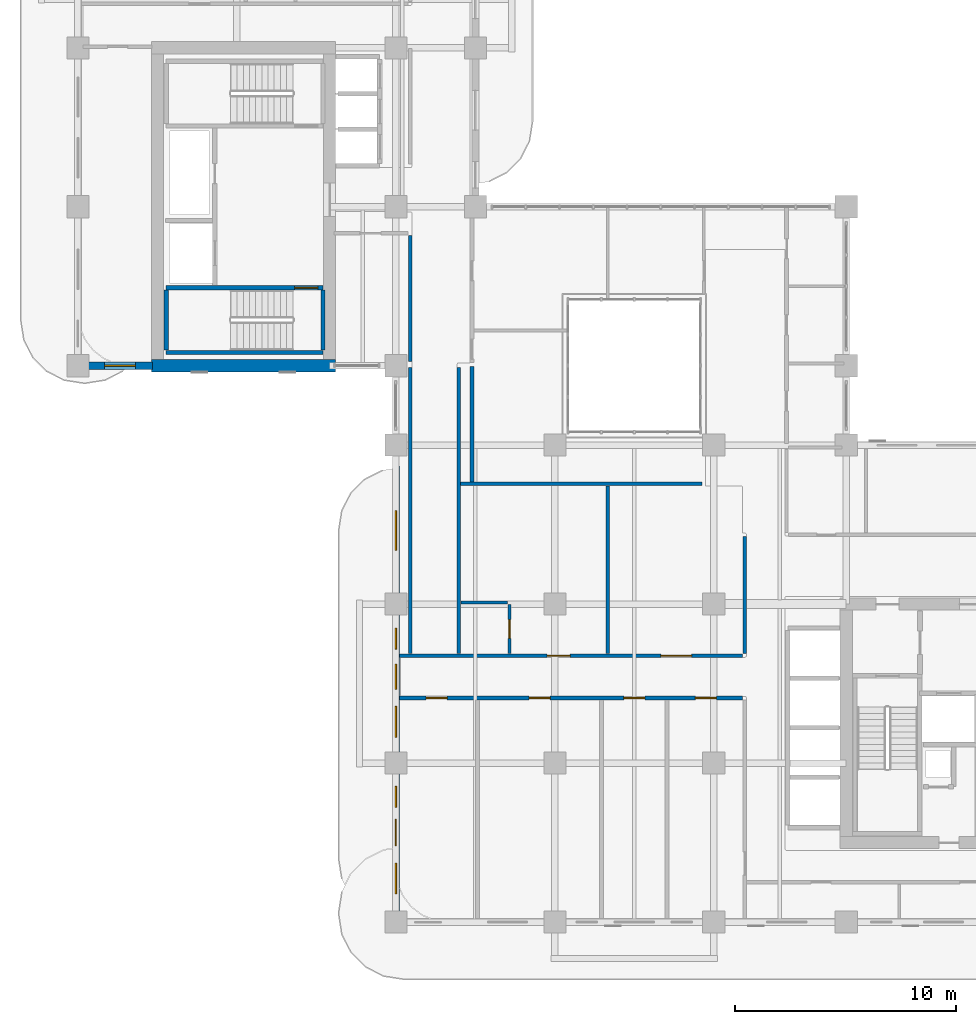
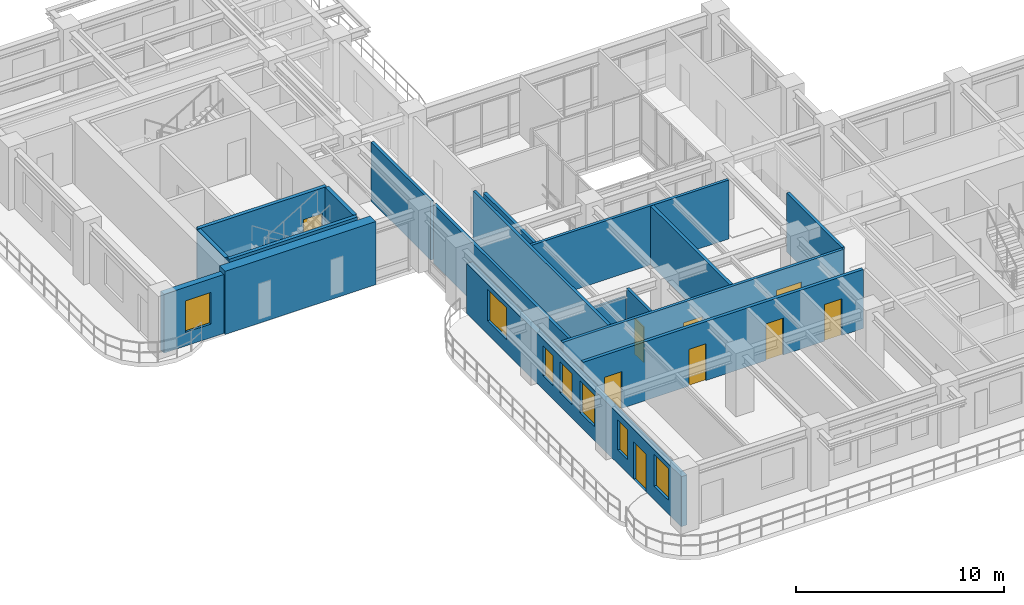
# One storey, part 11 of 20: 18 walls, 9 doors, 7 windows, 16 openings.
"""IFC4 building model written with IfcOpenShell, lengths in metres."""

import ifcopenshell
import ifcopenshell.guid

model = None  # the IFC model being written
_history = None  # IfcOwnerHistory: only IFC2X3 demands one
_inside = {}  # id of a spatial element -> (the spatial element, [elements in it])
_under = {}  # id of a project, library or spatial element -> (it, [spatial elements below it])
_declared = {}  # id of a project -> (the project, [libraries it declares])
_typed = {}  # id of a type object -> (the type object, [elements of that type])
_made_of = {}  # id of a material, layer set ... -> (it, [elements and type objects made of it])


def new_model(schema):
    """Start an empty IFC model of exactly this schema.

    Asked for "IFC4X3", IfcOpenShell would pick the latest addendum, in which some entities
    have other attributes; the version numbers below select the first issue.
    IFC2X3 requires an IfcOwnerHistory on every rooted entity: one is made here for all.
    """
    global model, _history
    if schema == "IFC4X3":
        model = ifcopenshell.file(schema_version=(4, 3, 0, 0))
    else:
        model = ifcopenshell.file(schema=schema)
    _inside.clear()
    _under.clear()
    _declared.clear()
    _typed.clear()
    _made_of.clear()
    _history = None
    if model.schema == "IFC2X3":
        org = make("IfcOrganization", Name="unknown")
        user = make(
            "IfcPersonAndOrganization",
            ThePerson=make("IfcPerson", FamilyName="unknown"),
            TheOrganization=org,
        )
        app = make(
            "IfcApplication",
            ApplicationDeveloper=org,
            Version="unknown",
            ApplicationFullName="unknown",
            ApplicationIdentifier="unknown",
        )
        _history = make(
            "IfcOwnerHistory",
            OwningUser=user,
            OwningApplication=app,
            ChangeAction="ADDED",
            CreationDate=0,
        )
    return model


def make(cls, **values):
    """One entity of the class cls with the attributes given. An attribute that is None is left unset."""
    return model.create_entity(
        cls, **{name: value for name, value in values.items() if value is not None}
    )


def rooted(cls, **values):
    """An entity with a GlobalId (a new one), such as an element, a storey or a relation."""
    return make(cls, GlobalId=ifcopenshell.guid.new(), OwnerHistory=_history, **values)


def si_unit(unit_type, name, prefix=None):
    """IfcSIUnit, for example si_unit("LENGTHUNIT", "METRE", prefix="MILLI")."""
    return make("IfcSIUnit", UnitType=unit_type, Prefix=prefix, Name=name)


def derived_unit(unit_type, elements):
    """IfcDerivedUnit: a product of units, each with its exponent."""
    return make(
        "IfcDerivedUnit",
        Elements=[
            make("IfcDerivedUnitElement", Unit=unit, Exponent=power)
            for unit, power in elements
        ],
        UnitType=unit_type,
    )


def assignment(units):
    """IfcUnitAssignment: the units of a project."""
    return None if units is None else make("IfcUnitAssignment", Units=units)


def point(xyz):
    """IfcCartesianPoint."""
    return None if xyz is None else make("IfcCartesianPoint", Coordinates=xyz)


def direction(xyz):
    """IfcDirection."""
    return None if xyz is None else make("IfcDirection", DirectionRatios=xyz)


def frame(location, z_axis=None, x_axis=None):
    """IfcAxis2Placement3D, a coordinate frame: its origin and axes. An axis left out is left unset."""
    return make(
        "IfcAxis2Placement3D",
        Location=point(location),
        Axis=direction(z_axis),
        RefDirection=direction(x_axis),
    )


def frame_2d(location, x_axis=None):
    """IfcAxis2Placement2D, a coordinate frame in the plane: its origin and x axis."""
    return make(
        "IfcAxis2Placement2D", Location=point(location), RefDirection=direction(x_axis)
    )


def origin():
    """The frame at (0, 0, 0) with its axes left unset."""
    return frame((0.0, 0.0, 0.0))


def place(relative_to, where):
    """IfcLocalPlacement: puts the frame where relative to a parent placement (None: the world)."""
    return make(
        "IfcLocalPlacement", PlacementRelTo=relative_to, RelativePlacement=where
    )


def context(
    kind, dimensions, precision=None, world=None, true_north=None, identifier=None
):
    """IfcGeometricRepresentationContext, for example the 3D "Model" context."""
    return make(
        "IfcGeometricRepresentationContext",
        ContextIdentifier=identifier,
        ContextType=kind,
        CoordinateSpaceDimension=dimensions,
        Precision=precision,
        WorldCoordinateSystem=world,
        TrueNorth=true_north,
    )


def subcontext(parent, identifier, kind, view, scale=None):
    """IfcGeometricRepresentationSubContext, for example "Body" below "Model"."""
    return make(
        "IfcGeometricRepresentationSubContext",
        ContextIdentifier=identifier,
        ContextType=kind,
        ParentContext=parent,
        TargetScale=scale,
        TargetView=view,
    )


def project(units=None, contexts=None):
    """IfcProject with its units and contexts."""
    return rooted(
        "IfcProject",
        Name="project",
        RepresentationContexts=contexts,
        UnitsInContext=assignment(units),
    )


def spatial(cls, under=None, at=None, **own):
    """A site, building, storey or space (cls), placed at a placement, below another one or the project."""
    s = rooted(cls, ObjectPlacement=at, **own)
    if under is not None:
        _under.setdefault(under.id(), (under, []))[1].append(s)
    return s


def profile(cls, at=None, kind="AREA", **sizes):
    """A parametric profile (cls). Its sizes go by their IFC names, for example OverallWidth=200.0."""
    return make(cls, ProfileType=kind, Position=at, **sizes)


def rectangle(**sizes):
    """IfcRectangleProfileDef."""
    return profile("IfcRectangleProfileDef", **sizes)


def extrude(swept, where, along, depth):
    """IfcExtrudedAreaSolid: the profile swept, set in the frame where, extruded along a direction by depth."""
    return make(
        "IfcExtrudedAreaSolid",
        SweptArea=swept,
        Position=where,
        ExtrudedDirection=direction(along),
        Depth=depth,
    )


def shape(context_of_items, identifier, shape_type, items):
    """IfcShapeRepresentation: the items that make up one representation, for example the "Body"."""
    return make(
        "IfcShapeRepresentation",
        ContextOfItems=context_of_items,
        RepresentationIdentifier=identifier,
        RepresentationType=shape_type,
        Items=items,
    )


def source(mapping_origin, context_of_items, identifier, shape_type, items):
    """IfcRepresentationMap: a shape defined once, which mapped items show again and again."""
    return make(
        "IfcRepresentationMap",
        MappingOrigin=mapping_origin,
        MappedRepresentation=shape(context_of_items, identifier, shape_type, items),
    )


def transform(
    local_origin,
    x_axis=None,
    y_axis=None,
    z_axis=None,
    scale=None,
    scale2=None,
    scale3=None,
    uniform=True,
):
    """IfcCartesianTransformationOperator3D, or its non-uniform kind. x_axis, y_axis, z_axis: its Axis1, 2, 3."""
    if uniform:
        return make(
            "IfcCartesianTransformationOperator3D",
            Axis1=direction(x_axis),
            Axis2=direction(y_axis),
            LocalOrigin=point(local_origin),
            Scale=scale,
            Axis3=direction(z_axis),
        )
    return make(
        "IfcCartesianTransformationOperator3DnonUniform",
        Axis1=direction(x_axis),
        Axis2=direction(y_axis),
        LocalOrigin=point(local_origin),
        Scale=scale,
        Axis3=direction(z_axis),
        Scale2=scale2,
        Scale3=scale3,
    )


def mapped(mapping_source, mapping_target):
    """IfcMappedItem: shows the shape of a source again, moved by a transform."""
    return make(
        "IfcMappedItem", MappingSource=mapping_source, MappingTarget=mapping_target
    )


def material(Name=None, Category=None):
    """IfcMaterial."""
    return make("IfcMaterial", Name=Name, Category=Category)


def layer(
    of_material, thickness, ventilated=None, Name=None, Category=None, Priority=None
):
    """IfcMaterialLayer: one layer of a wall or slab, of a material (None: an air gap)."""
    return make(
        "IfcMaterialLayer",
        Material=of_material,
        LayerThickness=thickness,
        IsVentilated=ventilated,
        Name=Name,
        Category=Category,
        Priority=Priority,
    )


def layer_set(layers, Name=None):
    """IfcMaterialLayerSet."""
    return make("IfcMaterialLayerSet", MaterialLayers=layers, LayerSetName=Name)


def made_of(thing, what):
    """Note that an element or type object is made of a material, layer set ...; save() writes the relation."""
    if what is not None:
        _made_of.setdefault(what.id(), (what, []))[1].append(thing)
    return thing


def type_object(cls, material=None, **own):
    """A type object (cls), such as IfcWallType, which elements share."""
    return made_of(rooted(cls, **own), material)


def type_shapes(of_type, sources):
    """Give a type object the sources (RepresentationMaps) that its elements show as mapped items."""
    of_type.RepresentationMaps = sources


def element(
    cls,
    number,
    at=None,
    inside=None,
    cuts=None,
    type_object=None,
    material=None,
    context=None,
    identifier="Body",
    shape_type=None,
    held_by="IfcProductDefinitionShape",
    body=None,
    shapes=None,
    **own,
):
    """One element of the class cls, such as IfcWall. Its Tag is "e" and its number.

    at: its placement. inside: the storey or other place that contains it. cuts: it is an
    opening in that element (IfcRelVoidsElement). A single representation is given by context,
    identifier, shape_type and body (its items); several are given by shapes. held_by: the class
    of the entity that holds the representations. save() writes the other relations.
    """
    e = rooted(cls, Tag="e%d" % number, ObjectPlacement=at, **own)
    if body is not None:
        shapes = [shape(context, identifier, shape_type, body)]
    if shapes is not None:
        e.Representation = make(held_by, Representations=shapes)
    if inside is not None:
        _inside.setdefault(inside.id(), (inside, []))[1].append(e)
    if cuts is not None:
        rooted(
            "IfcRelVoidsElement", RelatingBuildingElement=cuts, RelatedOpeningElement=e
        )
    if type_object is not None:
        _typed.setdefault(type_object.id(), (type_object, []))[1].append(e)
    return made_of(e, material)


def fill(opening, filler):
    """IfcRelFillsElement: the door or window that sits in an opening."""
    return rooted(
        "IfcRelFillsElement",
        RelatingOpeningElement=opening,
        RelatedBuildingElement=filler,
    )


def aggregate(whole, parts):
    """IfcRelAggregates: a whole, such as a stair, and the parts it consists of."""
    return rooted("IfcRelAggregates", RelatingObject=whole, RelatedObjects=parts)


def save(model, path):
    """Write the relations noted so far, then the file.

    IfcRelAggregates (storeys below a building ...), IfcRelContainedInSpatialStructure (elements
    in a storey), IfcRelDefinesByType, IfcRelAssociatesMaterial and IfcRelDeclares: one each for
    every whole, place, type object, material and project.
    """
    for whole, parts in _under.values():
        aggregate(whole, parts)
    for where, things in _inside.values():
        rooted(
            "IfcRelContainedInSpatialStructure",
            RelatedElements=things,
            RelatingStructure=where,
        )
    for kind, things in _typed.values():
        rooted("IfcRelDefinesByType", RelatedObjects=things, RelatingType=kind)
    for what, things in _made_of.values():
        rooted("IfcRelAssociatesMaterial", RelatedObjects=things, RelatingMaterial=what)
    for by, libraries in _declared.values():
        rooted("IfcRelDeclares", RelatingContext=by, RelatedDefinitions=libraries)
    model.write(path)


model = new_model("IFC4")

# Units and contexts
model_context = context("Model", 3, precision=1e-05, world=origin(), true_north=direction((0.0, 1.0)))
body_context = subcontext(model_context, "Body", "Model", "MODEL_VIEW")
ifc_project = project(units=[si_unit("LENGTHUNIT", "METRE"), si_unit("AREAUNIT", "SQUARE_METRE"), si_unit("VOLUMEUNIT", "CUBIC_METRE"), si_unit("PLANEANGLEUNIT", "RADIAN"), si_unit("MASSUNIT", "GRAM", prefix="KILO"), si_unit("THERMODYNAMICTEMPERATUREUNIT", "KELVIN"), si_unit("POWERUNIT", "WATT"), derived_unit("THERMALTRANSMITTANCEUNIT", [(si_unit("POWERUNIT", "WATT"), 1), (si_unit("AREAUNIT", "SQUARE_METRE"), -1), (si_unit("THERMODYNAMICTEMPERATUREUNIT", "KELVIN"), -1)])], contexts=[model_context])

# Site, building, storey
site_placement = place(None, origin())
site = spatial("IfcSite", under=ifc_project, at=site_placement, CompositionType="ELEMENT")
building_placement = place(site_placement, origin())
building = spatial("IfcBuilding", under=site, at=building_placement, Name="Zahravan Archway Hotel and Residences", CompositionType="ELEMENT")
storey_placement = place(building_placement, frame((0.0, 0.0, 137.699951171875)))
storey = spatial("IfcBuildingStorey", under=building, at=storey_placement, Name="L34", CompositionType="ELEMENT", Elevation=137.699951171875)

# Wall
ifc_material_1 = material(Name="Concrete C70/85", Category="concrete")
ifc_layer_1 = layer(ifc_material_1, 0.550048828125, Name="Concrete C70/85", Category="concrete")
ifc_layer_set_1 = layer_set([ifc_layer_1], Name="Concrete C70/85")
wall_type_1 = type_object("IfcWallType", Name="CW-CORE-550", PredefinedType="SHEAR", material=ifc_layer_set_1)
wall_1_placement = place(storey_placement, frame((3.324951171875, 25.199951171875, 0.0), z_axis=(0.0, 0.0, 1.0), x_axis=(1.0, 0.0, 0.0)))
element("IfcWall", 1, at=wall_1_placement, inside=storey, type_object=wall_type_1, Name="L34 Core B Shear S Wall 550 mm", PredefinedType="SHEAR", context=body_context, shape_type="SweptSolid", body=[
    extrude(rectangle(XDim=8.35009765625, YDim=0.550048828125, at=frame_2d((4.175048828125, 0.0))), origin(), (0.0, 0.0, 1.0), 3.699951171875),
])

# Wall, openings, door, windows
ifc_material_2 = material(Name="Agra Buff Sandstone & Insulated Backup", Category="masonry")
ifc_layer_2 = layer(ifc_material_2, 0.320068359375, Name="Agra Buff Sandstone & Insulated Backup", Category="masonry")
ifc_layer_set_2 = layer_set([ifc_layer_2], Name="Agra Buff Sandstone & Insulated Backup")
wall_type_2 = type_object("IfcWallType", Name="EW-SAND-320", PredefinedType="SOLIDWALL", material=ifc_layer_set_2)
wall_2_placement = place(storey_placement, frame((14.39990234375, 0.050048828125, 0.0), z_axis=(0.0, 0.0, 1.0), x_axis=(0.0, 1.0, 0.0)))
wall_2 = element("IfcWall", 2, at=wall_2_placement, inside=storey, type_object=wall_type_2, Name="L34 Exterior Sandstone Wall WA-WL", PredefinedType="SOLIDWALL", context=body_context, shape_type="SweptSolid", body=[
    extrude(rectangle(XDim=20.599853515625, YDim=0.320068359375, at=frame_2d((10.2998046875, 0.0))), origin(), (0.0, 0.0, 1.0), 2.93505859375),
])
opening_1_placement = place(wall_2_placement, frame((3.39990234375, 0.0, 0.0)))
opening_1 = element("IfcOpeningElement", 3, at=opening_1_placement, cuts=wall_2, Name="Opening ED-BL1", PredefinedType="OPENING", context=body_context, shape_type="SweptSolid", body=[
    extrude(rectangle(XDim=1.199951171875, YDim=2.199951171875, at=frame_2d((0.60009765625, 1.10009765625))), frame((0.0, 0.169921875, 0.0), z_axis=(0.0, -1.0, 0.0), x_axis=(1.0, 0.0, 0.0)), (0.0, 0.0, 1.0), 0.340087890625),
])
opening_2_placement = place(wall_2_placement, frame((1.22509765625, 0.0, 0.800048828125)))
opening_2 = element("IfcOpeningElement", 4, at=opening_2_placement, cuts=wall_2, Name="Opening W-03", PredefinedType="OPENING", context=body_context, shape_type="SweptSolid", body=[
    extrude(rectangle(XDim=1.39990234375, YDim=1.85009765625, at=frame_2d((0.699951171875, 0.925048828125))), frame((0.0, 0.169921875, 0.0), z_axis=(0.0, -1.0, 0.0), x_axis=(1.0, 0.0, 0.0)), (0.0, 0.0, 1.0), 0.340087890625),
])
opening_3_placement = place(wall_2_placement, frame((5.14990234375, 0.0, 0.800048828125)))
opening_3 = element("IfcOpeningElement", 5, at=opening_3_placement, cuts=wall_2, Name="Opening W-04", PredefinedType="OPENING", context=body_context, shape_type="SweptSolid", body=[
    extrude(rectangle(XDim=0.949951171875, YDim=1.75, at=frame_2d((0.47509765625, 0.875))), frame((0.0, 0.169921875, 0.0), z_axis=(0.0, -1.0, 0.0), x_axis=(1.0, 0.0, 0.0)), (0.0, 0.0, 1.0), 0.340087890625),
])
opening_4_placement = place(wall_2_placement, frame((8.321044921875, 0.0, 0.800048828125)))
opening_4 = element("IfcOpeningElement", 6, at=opening_4_placement, cuts=wall_2, Name="Opening W-03", PredefinedType="OPENING", context=body_context, shape_type="SweptSolid", body=[
    extrude(rectangle(XDim=1.39990234375, YDim=1.85009765625, at=frame_2d((0.699951171875, 0.925048828125))), frame((0.0, 0.169921875, 0.0), z_axis=(0.0, -1.0, 0.0), x_axis=(1.0, 0.0, 0.0)), (0.0, 0.0, 1.0), 0.340087890625),
])
opening_5_placement = place(wall_2_placement, frame((10.485107421875, 0.0, 0.800048828125)))
opening_5 = element("IfcOpeningElement", 7, at=opening_5_placement, cuts=wall_2, Name="Opening W-05", PredefinedType="OPENING", context=body_context, shape_type="SweptSolid", body=[
    extrude(rectangle(XDim=1.14990234375, YDim=1.800048828125, at=frame_2d((0.574951171875, 0.89990234375))), frame((0.0, 0.169921875, 0.0), z_axis=(0.0, -1.0, 0.0), x_axis=(1.0, 0.0, 0.0)), (0.0, 0.0, 1.0), 0.340087890625),
])
opening_6_placement = place(wall_2_placement, frame((12.31396484375, 0.0, 0.800048828125)))
opening_6 = element("IfcOpeningElement", 8, at=opening_6_placement, cuts=wall_2, Name="Opening W-04", PredefinedType="OPENING", context=body_context, shape_type="SweptSolid", body=[
    extrude(rectangle(XDim=0.949951171875, YDim=1.75, at=frame_2d((0.47509765625, 0.875))), frame((0.0, 0.169921875, 0.0), z_axis=(0.0, -1.0, 0.0), x_axis=(1.0, 0.0, 0.0)), (0.0, 0.0, 1.0), 0.340087890625),
])
opening_7_placement = place(wall_2_placement, frame((16.7900390625, 0.0, 0.800048828125)))
opening_7 = element("IfcOpeningElement", 9, at=opening_7_placement, cuts=wall_2, Name="Opening W-02", PredefinedType="OPENING", context=body_context, shape_type="SweptSolid", body=[
    extrude(rectangle(XDim=1.800048828125, YDim=1.85009765625, at=frame_2d((0.89990234375, 0.925048828125))), frame((0.0, 0.169921875, 0.0), z_axis=(0.0, -1.0, 0.0), x_axis=(1.0, 0.0, 0.0)), (0.0, 0.0, 1.0), 0.340087890625),
])
ifc_material_3 = material(Name="Bronze-Anodized Glazed Aluminium", Category="aluminium")
door_type_1 = type_object("IfcDoorType", Name="ED-BALC-1200", OperationType="SLIDING_TO_LEFT", PredefinedType="DOOR", material=ifc_material_3)
shared_shape_1 = source(origin(), body_context, "Body", "SweptSolid", [
    extrude(rectangle(XDim=1.199951171875, YDim=2.199951171875, at=frame_2d((0.60009765625, 1.10009765625))), frame((0.0, 0.02490234375, 0.0), z_axis=(0.0, -1.0, 0.0), x_axis=(1.0, 0.0, 0.0)), (0.0, 0.0, 1.0), 0.050048828125),
])
type_shapes(door_type_1, [shared_shape_1])
door_1_placement = place(opening_1_placement, origin())
door_1 = element("IfcDoor", 10, at=door_1_placement, inside=storey, type_object=door_type_1, Name="L34 Outdoor Access Sliding Door (SLB-BAL-L34-WA)", OperationType="SLIDING_TO_LEFT", OverallHeight=2.199951171875, OverallWidth=1.199951171875, PredefinedType="DOOR", context=body_context, shape_type="MappedRepresentation", body=[
    mapped(shared_shape_1, transform((0.0, 0.0, 0.0), scale=1.0)),
])
fill(opening_1, door_1)
ifc_material_4 = material(Name="Bronze-Anodized Thermal-Break Aluminium & Low-E Glass", Category="aluminium")
window_type_1 = type_object("IfcWindowType", Name="WIN-TWR-1400", PartitioningType="SINGLE_PANEL", PredefinedType="WINDOW", material=ifc_material_4)
shared_shape_2 = source(origin(), body_context, "Body", "SweptSolid", [
    extrude(rectangle(XDim=1.39990234375, YDim=1.85009765625, at=frame_2d((0.699951171875, 0.925048828125))), frame((0.0, 0.030029296875, 0.0), z_axis=(0.0, -1.0, 0.0), x_axis=(1.0, 0.0, 0.0)), (0.0, 0.0, 1.0), 0.06005859375),
])
type_shapes(window_type_1, [shared_shape_2])
window_1_placement = place(opening_2_placement, origin())
window_1 = element("IfcWindow", 11, at=window_1_placement, inside=storey, type_object=window_type_1, Name="L34 Loggia Window 15", OverallHeight=1.85009765625, OverallWidth=1.39990234375, PartitioningType="SINGLE_PANEL", PredefinedType="WINDOW", context=body_context, shape_type="MappedRepresentation", body=[
    mapped(shared_shape_2, transform((0.0, 0.0, 0.0), scale=1.0)),
])
fill(opening_2, window_1)
window_2_placement = place(opening_4_placement, origin())
window_2 = element("IfcWindow", 12, at=window_2_placement, inside=storey, type_object=window_type_1, Name="L34 Loggia Window 17", OverallHeight=1.85009765625, OverallWidth=1.39990234375, PartitioningType="SINGLE_PANEL", PredefinedType="WINDOW", context=body_context, shape_type="MappedRepresentation", body=[
    mapped(shared_shape_2, transform((0.0, 0.0, 0.0), scale=1.0)),
])
fill(opening_4, window_2)
window_type_2 = type_object("IfcWindowType", Name="WIN-NAR-950", PartitioningType="SINGLE_PANEL", PredefinedType="WINDOW", material=ifc_material_4)
shared_shape_3 = source(origin(), body_context, "Body", "SweptSolid", [
    extrude(rectangle(XDim=0.949951171875, YDim=1.75, at=frame_2d((0.47509765625, 0.875))), frame((0.0, 0.030029296875, 0.0), z_axis=(0.0, -1.0, 0.0), x_axis=(1.0, 0.0, 0.0)), (0.0, 0.0, 1.0), 0.06005859375),
])
type_shapes(window_type_2, [shared_shape_3])
window_3_placement = place(opening_3_placement, origin())
window_3 = element("IfcWindow", 13, at=window_3_placement, inside=storey, type_object=window_type_2, Name="L34 Loggia Window 16", OverallHeight=1.75, OverallWidth=0.949951171875, PartitioningType="SINGLE_PANEL", PredefinedType="WINDOW", context=body_context, shape_type="MappedRepresentation", body=[
    mapped(shared_shape_3, transform((0.0, 0.0, 0.0), scale=1.0)),
])
fill(opening_3, window_3)
window_4_placement = place(opening_6_placement, origin())
window_4 = element("IfcWindow", 14, at=window_4_placement, inside=storey, type_object=window_type_2, Name="L34 Loggia Window 19", OverallHeight=1.75, OverallWidth=0.949951171875, PartitioningType="SINGLE_PANEL", PredefinedType="WINDOW", context=body_context, shape_type="MappedRepresentation", body=[
    mapped(shared_shape_3, transform((0.0, 0.0, 0.0), scale=1.0)),
])
fill(opening_6, window_4)
window_type_3 = type_object("IfcWindowType", Name="WIN-TWR-1800", PartitioningType="DOUBLE_PANEL_VERTICAL", PredefinedType="WINDOW", material=ifc_material_4)
shared_shape_4 = source(origin(), body_context, "Body", "SweptSolid", [
    extrude(rectangle(XDim=1.800048828125, YDim=1.85009765625, at=frame_2d((0.89990234375, 0.925048828125))), frame((0.0, 0.030029296875, 0.0), z_axis=(0.0, -1.0, 0.0), x_axis=(1.0, 0.0, 0.0)), (0.0, 0.0, 1.0), 0.06005859375),
])
type_shapes(window_type_3, [shared_shape_4])
window_5_placement = place(opening_7_placement, origin())
window_5 = element("IfcWindow", 15, at=window_5_placement, inside=storey, type_object=window_type_3, Name="L34 Loggia Window 20", OverallHeight=1.85009765625, OverallWidth=1.800048828125, PartitioningType="DOUBLE_PANEL_VERTICAL", PredefinedType="WINDOW", context=body_context, shape_type="MappedRepresentation", body=[
    mapped(shared_shape_4, transform((0.0, 0.0, 0.0), scale=1.0)),
])
fill(opening_7, window_5)
window_type_4 = type_object("IfcWindowType", Name="WIN-TWR-1150", PartitioningType="SINGLE_PANEL", PredefinedType="WINDOW", material=ifc_material_4)
shared_shape_5 = source(origin(), body_context, "Body", "SweptSolid", [
    extrude(rectangle(XDim=1.14990234375, YDim=1.800048828125, at=frame_2d((0.574951171875, 0.89990234375))), frame((0.0, 0.030029296875, 0.0), z_axis=(0.0, -1.0, 0.0), x_axis=(1.0, 0.0, 0.0)), (0.0, 0.0, 1.0), 0.06005859375),
])
type_shapes(window_type_4, [shared_shape_5])
window_6_placement = place(opening_5_placement, origin())
window_6 = element("IfcWindow", 16, at=window_6_placement, inside=storey, type_object=window_type_4, Name="L34 Loggia Window 18", OverallHeight=1.800048828125, OverallWidth=1.14990234375, PartitioningType="SINGLE_PANEL", PredefinedType="WINDOW", context=body_context, shape_type="MappedRepresentation", body=[
    mapped(shared_shape_5, transform((0.0, 0.0, 0.0), scale=1.0)),
])
fill(opening_5, window_6)

# Wall, opening, window
wall_3_placement = place(storey_placement, frame((0.0, 25.199951171875, 0.0), z_axis=(0.0, 0.0, 1.0), x_axis=(1.0, 0.0, 0.0)))
wall_3 = element("IfcWall", 17, at=wall_3_placement, inside=storey, type_object=wall_type_2, Name="L34 Exterior Sandstone Wall WB-SW", PredefinedType="SOLIDWALL", context=body_context, shape_type="SweptSolid", body=[
    extrude(rectangle(XDim=3.3798828125, YDim=0.320068359375, at=frame_2d((1.68994140625, 0.0))), origin(), (0.0, 0.0, 1.0), 3.449951171875),
])
opening_8_placement = place(wall_3_placement, frame((1.205078125, 0.0, 0.800048828125)))
opening_8 = element("IfcOpeningElement", 18, at=opening_8_placement, cuts=wall_3, Name="Opening W-03", PredefinedType="OPENING", context=body_context, shape_type="SweptSolid", body=[
    extrude(rectangle(XDim=1.39990234375, YDim=1.85009765625, at=frame_2d((0.699951171875, 0.925048828125))), frame((0.0, 0.169921875, 0.0), z_axis=(0.0, -1.0, 0.0), x_axis=(1.0, 0.0, 0.0)), (0.0, 0.0, 1.0), 0.340087890625),
])
window_7_placement = place(opening_8_placement, origin())
window_7 = element("IfcWindow", 19, at=window_7_placement, inside=storey, type_object=window_type_1, Name="L34 Loggia Window 21", OverallHeight=1.85009765625, OverallWidth=1.39990234375, PartitioningType="SINGLE_PANEL", PredefinedType="WINDOW", context=body_context, shape_type="MappedRepresentation", body=[
    mapped(shared_shape_2, transform((0.0, 0.0, 0.0), scale=1.0)),
])
fill(opening_8, window_7)

# Wall, openings, doors
ifc_material_5 = material(Name="Fire-Rated Gypsum & Concrete Block", Category="concrete")
ifc_layer_3 = layer(ifc_material_5, 0.159912109375, Name="Fire-Rated Gypsum & Concrete Block", Category="concrete")
ifc_layer_set_3 = layer_set([ifc_layer_3], Name="Fire-Rated Gypsum & Concrete Block")
wall_type_3 = type_object("IfcWallType", Name="PW-CORR-160", PredefinedType="PARTITIONING", material=ifc_layer_set_3)
wall_4_placement = place(storey_placement, frame((14.568115234375, 12.070068359375, 0.0), z_axis=(0.0, 0.0, 1.0), x_axis=(1.0, 0.0, 0.0)))
wall_4 = element("IfcWall", 20, at=wall_4_placement, inside=storey, type_object=wall_type_3, Name="L34 Partition WA-CN", PredefinedType="PARTITIONING", context=body_context, shape_type="SweptSolid", body=[
    extrude(rectangle(XDim=15.5419921875, YDim=0.159912109375, at=frame_2d((7.77099609375, 0.0))), origin(), (0.0, 0.0, 1.0), 3.449951171875),
])
opening_9_placement = place(wall_4_placement, frame((6.681884765625, 0.0, 0.0)))
opening_9 = element("IfcOpeningElement", 21, at=opening_9_placement, cuts=wall_4, Name="Opening D-U1", PredefinedType="OPENING", context=body_context, shape_type="SweptSolid", body=[
    extrude(rectangle(XDim=1.050048828125, YDim=2.25, at=frame_2d((0.52490234375, 1.125))), frame((0.0, 0.08984375, 0.0), z_axis=(0.0, -1.0, 0.0), x_axis=(1.0, 0.0, 0.0)), (0.0, 0.0, 1.0), 0.179931640625),
])
opening_10_placement = place(wall_4_placement, frame((11.83203125, 0.0, 0.0)))
opening_10 = element("IfcOpeningElement", 22, at=opening_10_placement, cuts=wall_4, Name="Opening D-P1", PredefinedType="OPENING", context=body_context, shape_type="SweptSolid", body=[
    extrude(rectangle(XDim=1.39990234375, YDim=2.35009765625, at=frame_2d((0.699951171875, 1.175048828125))), frame((0.0, 0.08984375, 0.0), z_axis=(0.0, -1.0, 0.0), x_axis=(1.0, 0.0, 0.0)), (0.0, 0.0, 1.0), 0.179931640625),
])
door_type_2 = type_object("IfcDoorType", Name="ID-PUBLIC-1400", OperationType="DOUBLE_DOOR_SINGLE_SWING", PredefinedType="DOOR", material=ifc_material_3)
shared_shape_6 = source(origin(), body_context, "Body", "SweptSolid", [
    extrude(rectangle(XDim=1.39990234375, YDim=2.35009765625, at=frame_2d((0.699951171875, 1.175048828125))), frame((0.0, 0.02490234375, 0.0), z_axis=(0.0, -1.0, 0.0), x_axis=(1.0, 0.0, 0.0)), (0.0, 0.0, 1.0), 0.050048828125),
])
type_shapes(door_type_2, [shared_shape_6])
door_2_placement = place(opening_10_placement, origin())
door_2 = element("IfcDoor", 23, at=door_2_placement, inside=storey, type_object=door_type_2, Name="L34 Atrium Dining Door", OperationType="DOUBLE_DOOR_SINGLE_SWING", OverallHeight=2.35009765625, OverallWidth=1.39990234375, PredefinedType="DOOR", context=body_context, shape_type="MappedRepresentation", body=[
    mapped(shared_shape_6, transform((0.0, 0.0, 0.0), scale=1.0)),
])
fill(opening_10, door_2)
ifc_material_6 = material(Name="Hardwood Veneer Timber", Category="wood")
door_type_3 = type_object("IfcDoorType", Name="ID-UNIT-1050", OperationType="NOTDEFINED", PredefinedType="DOOR", material=ifc_material_6)
shared_shape_7 = source(origin(), body_context, "Body", "SweptSolid", [
    extrude(rectangle(XDim=1.050048828125, YDim=2.25, at=frame_2d((0.52490234375, 1.125))), frame((0.0, 0.02490234375, 0.0), z_axis=(0.0, -1.0, 0.0), x_axis=(1.0, 0.0, 0.0)), (0.0, 0.0, 1.0), 0.050048828125),
])
type_shapes(door_type_3, [shared_shape_7])
door_3_placement = place(opening_9_placement, origin())
door_3 = element("IfcDoor", 24, at=door_3_placement, inside=storey, type_object=door_type_3, Name="L34 Hotel Guestroom 52 Entrance Door", OperationType="SINGLE_SWING_RIGHT", OverallHeight=2.25, OverallWidth=1.050048828125, PredefinedType="DOOR", context=body_context, shape_type="MappedRepresentation", body=[
    mapped(shared_shape_7, transform((0.0, 0.0, 0.0), scale=1.0)),
])
fill(opening_9, door_3)

# Walls
wall_5_placement = place(storey_placement, frame((30.199951171875, 12.159912109375, 0.0), z_axis=(0.0, 0.0, 1.0), x_axis=(0.0, 1.0, 0.0)))
element("IfcWall", 25, at=wall_5_placement, inside=storey, type_object=wall_type_3, Name="L34 Partition WA-FW", PredefinedType="PARTITIONING", context=body_context, shape_type="SweptSolid", body=[
    extrude(rectangle(XDim=5.300048828125, YDim=0.159912109375, at=frame_2d((2.64990234375, 0.0))), origin(), (0.0, 0.0, 1.0), 3.449951171875),
])
for number, where, z_axis, x_axis, name in (
    (26, (15.050048828125, 12.159912109375, 0.0), (0.0, 0.0, 1.0), (0.0, 1.0, 0.0), "L34 Partition LNK-W"),
    (27, (17.25, 12.159912109375, 0.0), (0.0, 0.0, 1.0), (0.0, 1.0, 0.0), "L34 Partition LNK-E"),
):
    element("IfcWall", number, at=place(storey_placement, frame(where, z_axis=z_axis, x_axis=x_axis)), inside=storey, type_object=wall_type_3, Name=name, PredefinedType="PARTITIONING", context=body_context, shape_type="SweptSolid", body=[
        extrude(rectangle(XDim=12.9501953125, YDim=0.159912109375, at=frame_2d((6.47509765625, 0.0))), origin(), (0.0, 0.0, 1.0), 3.449951171875),
    ])
wall_6_placement = place(storey_placement, frame((15.050048828125, 25.389892578125, 0.0), z_axis=(0.0, 0.0, 1.0), x_axis=(0.0, 1.0, 0.0)))
element("IfcWall", 28, at=wall_6_placement, inside=storey, type_object=wall_type_3, Name="L34 Partition FB1-E", PredefinedType="PARTITIONING", context=body_context, shape_type="SweptSolid", body=[
    extrude(rectangle(XDim=5.72021484375, YDim=0.159912109375, at=frame_2d((2.860107421875, 0.0))), origin(), (0.0, 0.0, 1.0), 3.449951171875),
])
wall_7_placement = place(storey_placement, frame((17.340087890625, 19.85009765625, 0.0), z_axis=(0.0, 0.0, 1.0), x_axis=(1.0, 0.0, 0.0)))
element("IfcWall", 29, at=wall_7_placement, inside=storey, type_object=wall_type_3, Name="L34 Partition ATR-S", PredefinedType="PARTITIONING", context=body_context, shape_type="SweptSolid", body=[
    extrude(rectangle(XDim=10.919921875, YDim=0.159912109375, at=frame_2d((5.4599609375, 0.0))), origin(), (0.0, 0.0, 1.0), 3.449951171875),
])

# Wall, openings, doors
ifc_layer_4 = layer(ifc_material_5, 0.179931640625, Name="Fire-Rated Gypsum & Concrete Block", Category="concrete")
ifc_layer_set_4 = layer_set([ifc_layer_4], Name="Fire-Rated Gypsum & Concrete Block")
wall_type_4 = type_object("IfcWallType", Name="PW-CORR-180", PredefinedType="PARTITIONING", material=ifc_layer_set_4)
wall_8_placement = place(storey_placement, frame((14.568115234375, 10.14990234375, 0.0), z_axis=(0.0, 0.0, 1.0), x_axis=(1.0, 0.0, 0.0)))
wall_8 = element("IfcWall", 30, at=wall_8_placement, inside=storey, type_object=wall_type_4, Name="L34 Partition WA-CS", PredefinedType="PARTITIONING", context=body_context, shape_type="SweptSolid", body=[
    extrude(rectangle(XDim=15.5419921875, YDim=0.179931640625, at=frame_2d((7.77099609375, 0.0))), origin(), (0.0, 0.0, 1.0), 3.449951171875),
])
opening_11_placement = place(wall_8_placement, frame((1.20703125, 0.0, 0.0)))
opening_11 = element("IfcOpeningElement", 31, at=opening_11_placement, cuts=wall_8, Name="Opening D-I1", PredefinedType="OPENING", context=body_context, shape_type="SweptSolid", body=[
    extrude(rectangle(XDim=0.949951171875, YDim=2.14990234375, at=frame_2d((0.47509765625, 1.074951171875))), frame((0.0, 0.10009765625, 0.0), z_axis=(0.0, -1.0, 0.0), x_axis=(1.0, 0.0, 0.0)), (0.0, 0.0, 1.0), 0.199951171875),
])
opening_12_placement = place(wall_8_placement, frame((5.866943359375, 0.0, 0.0)))
opening_12 = element("IfcOpeningElement", 32, at=opening_12_placement, cuts=wall_8, Name="Opening D-I1", PredefinedType="OPENING", context=body_context, shape_type="SweptSolid", body=[
    extrude(rectangle(XDim=0.949951171875, YDim=2.14990234375, at=frame_2d((0.47509765625, 1.074951171875))), frame((0.0, 0.10009765625, 0.0), z_axis=(0.0, -1.0, 0.0), x_axis=(1.0, 0.0, 0.0)), (0.0, 0.0, 1.0), 0.199951171875),
])
opening_13_placement = place(wall_8_placement, frame((10.156982421875, 0.0, 0.0)))
opening_13 = element("IfcOpeningElement", 33, at=opening_13_placement, cuts=wall_8, Name="Opening D-I1", PredefinedType="OPENING", context=body_context, shape_type="SweptSolid", body=[
    extrude(rectangle(XDim=0.949951171875, YDim=2.14990234375, at=frame_2d((0.47509765625, 1.074951171875))), frame((0.0, 0.10009765625, 0.0), z_axis=(0.0, -1.0, 0.0), x_axis=(1.0, 0.0, 0.0)), (0.0, 0.0, 1.0), 0.199951171875),
])
opening_14_placement = place(wall_8_placement, frame((13.39697265625, 0.0, 0.0)))
opening_14 = element("IfcOpeningElement", 34, at=opening_14_placement, cuts=wall_8, Name="Opening D-I1", PredefinedType="OPENING", context=body_context, shape_type="SweptSolid", body=[
    extrude(rectangle(XDim=0.949951171875, YDim=2.14990234375, at=frame_2d((0.47509765625, 1.074951171875))), frame((0.0, 0.10009765625, 0.0), z_axis=(0.0, -1.0, 0.0), x_axis=(1.0, 0.0, 0.0)), (0.0, 0.0, 1.0), 0.199951171875),
])
door_type_4 = type_object("IfcDoorType", Name="ID-INT-950", OperationType="NOTDEFINED", PredefinedType="DOOR", material=ifc_material_6)
shared_shape_8 = source(origin(), body_context, "Body", "SweptSolid", [
    extrude(rectangle(XDim=0.949951171875, YDim=2.14990234375, at=frame_2d((0.47509765625, 1.074951171875))), frame((0.0, 0.02490234375, 0.0), z_axis=(0.0, -1.0, 0.0), x_axis=(1.0, 0.0, 0.0)), (0.0, 0.0, 1.0), 0.050048828125),
])
type_shapes(door_type_4, [shared_shape_8])
door_4_placement = place(opening_11_placement, origin())
door_4 = element("IfcDoor", 35, at=door_4_placement, inside=storey, type_object=door_type_4, Name="L34 Therapy Suite 1 Door", OperationType="SINGLE_SWING_LEFT", OverallHeight=2.14990234375, OverallWidth=0.949951171875, PredefinedType="DOOR", context=body_context, shape_type="MappedRepresentation", body=[
    mapped(shared_shape_8, transform((0.0, 0.0, 0.0), scale=1.0)),
])
fill(opening_11, door_4)
door_5_placement = place(opening_12_placement, origin())
door_5 = element("IfcDoor", 36, at=door_5_placement, inside=storey, type_object=door_type_4, Name="L34 Therapy Suite 2 Door", OperationType="SINGLE_SWING_RIGHT", OverallHeight=2.14990234375, OverallWidth=0.949951171875, PredefinedType="DOOR", context=body_context, shape_type="MappedRepresentation", body=[
    mapped(shared_shape_8, transform((0.0, 0.0, 0.0), scale=1.0)),
])
fill(opening_12, door_5)
door_6_placement = place(opening_13_placement, origin())
door_6 = element("IfcDoor", 37, at=door_6_placement, inside=storey, type_object=door_type_4, Name="L34 Wellness Clinic Door", OperationType="SINGLE_SWING_LEFT", OverallHeight=2.14990234375, OverallWidth=0.949951171875, PredefinedType="DOOR", context=body_context, shape_type="MappedRepresentation", body=[
    mapped(shared_shape_8, transform((0.0, 0.0, 0.0), scale=1.0)),
])
fill(opening_13, door_6)
door_7_placement = place(opening_14_placement, origin())
door_7 = element("IfcDoor", 38, at=door_7_placement, inside=storey, type_object=door_type_4, Name="L34 Recovery Lounge Door", OperationType="SINGLE_SWING_RIGHT", OverallHeight=2.14990234375, OverallWidth=0.949951171875, PredefinedType="DOOR", context=body_context, shape_type="MappedRepresentation", body=[
    mapped(shared_shape_8, transform((0.0, 0.0, 0.0), scale=1.0)),
])
fill(opening_14, door_7)

# Walls
ifc_material_7 = material(Name="Acoustic Stud Partition")
ifc_layer_5 = layer(ifc_material_7, 0.169921875, Name="Acoustic Stud Partition")
ifc_layer_set_5 = layer_set([ifc_layer_5], Name="Acoustic Stud Partition")
wall_type_5 = type_object("IfcWallType", Name="PW-UNIT-170", PredefinedType="PARTITIONING", material=ifc_layer_set_5)
wall_9_placement = place(storey_placement, frame((17.85009765625, 19.93994140625, 0.0), z_axis=(0.0, 0.0, 1.0), x_axis=(0.0, 1.0, 0.0)))
element("IfcWall", 39, at=wall_9_placement, inside=storey, type_object=wall_type_5, Name="L34 Partition ATR-NWSL", PredefinedType="PARTITIONING", context=body_context, shape_type="SweptSolid", body=[
    extrude(rectangle(XDim=5.219970703125, YDim=0.169921875, at=frame_2d((2.60986328125, 0.0))), origin(), (0.0, 0.0, 1.0), 3.10498046875),
])
wall_10_placement = place(storey_placement, frame((24.0, 12.159912109375, 0.0), z_axis=(0.0, 0.0, 1.0), x_axis=(0.0, 1.0, 0.0)))
element("IfcWall", 40, at=wall_10_placement, inside=storey, type_object=wall_type_5, Name="L34 Partition ATN-3", PredefinedType="PARTITIONING", context=body_context, shape_type="SweptSolid", body=[
    extrude(rectangle(XDim=7.60009765625, YDim=0.169921875, at=frame_2d((3.800048828125, 0.0))), origin(), (0.0, 0.0, 1.0), 3.449951171875),
])

# Wall, opening, door
ifc_material_8 = material(Name="Moisture-Resistant Blockwork", Category="masonry")
ifc_layer_6 = layer(ifc_material_8, 0.139892578125, Name="Moisture-Resistant Blockwork", Category="masonry")
ifc_layer_set_6 = layer_set([ifc_layer_6], Name="Moisture-Resistant Blockwork")
wall_type_6 = type_object("IfcWallType", Name="PW-WET-140", PredefinedType="PARTITIONING", material=ifc_layer_set_6)
wall_11_placement = place(storey_placement, frame((19.550048828125, 12.159912109375, 0.0), z_axis=(0.0, 0.0, 1.0), x_axis=(0.0, 1.0, 0.0)))
wall_11 = element("IfcWall", 41, at=wall_11_placement, inside=storey, type_object=wall_type_6, Name="L34 Partition HKB-V52", PredefinedType="PARTITIONING", context=body_context, shape_type="SweptSolid", body=[
    extrude(rectangle(XDim=2.219970703125, YDim=0.139892578125, at=frame_2d((1.10986328125, 0.0))), origin(), (0.0, 0.0, 1.0), 3.449951171875),
])
opening_15_placement = place(wall_11_placement, frame((0.68505859375, 0.0, 0.0)))
opening_15 = element("IfcOpeningElement", 42, at=opening_15_placement, cuts=wall_11, Name="Opening D-B1", PredefinedType="OPENING", context=body_context, shape_type="SweptSolid", body=[
    extrude(rectangle(XDim=0.85009765625, YDim=2.10009765625, at=frame_2d((0.425048828125, 1.050048828125))), frame((0.0, 0.080078125, 0.0), z_axis=(0.0, -1.0, 0.0), x_axis=(1.0, 0.0, 0.0)), (0.0, 0.0, 1.0), 0.159912109375),
])
door_type_5 = type_object("IfcDoorType", Name="ID-BATH-850", OperationType="NOTDEFINED", PredefinedType="DOOR", material=ifc_material_6)
shared_shape_9 = source(origin(), body_context, "Body", "SweptSolid", [
    extrude(rectangle(XDim=0.85009765625, YDim=2.10009765625, at=frame_2d((0.425048828125, 1.050048828125))), frame((0.0, 0.02490234375, 0.0), z_axis=(0.0, -1.0, 0.0), x_axis=(1.0, 0.0, 0.0)), (0.0, 0.0, 1.0), 0.050048828125),
])
type_shapes(door_type_5, [shared_shape_9])
door_8_placement = place(opening_15_placement, origin())
door_8 = element("IfcDoor", 43, at=door_8_placement, inside=storey, type_object=door_type_5, Name="L34 Guestroom 52 En-Suite Door", OperationType="SINGLE_SWING_RIGHT", OverallHeight=2.10009765625, OverallWidth=0.85009765625, PredefinedType="DOOR", context=body_context, shape_type="MappedRepresentation", body=[
    mapped(shared_shape_9, transform((0.0, 0.0, 0.0), scale=1.0)),
])
fill(opening_15, door_8)

# Walls
wall_12_placement = place(storey_placement, frame((17.340087890625, 14.469970703125, 0.0), z_axis=(0.0, 0.0, 1.0), x_axis=(1.0, 0.0, 0.0)))
element("IfcWall", 44, at=wall_12_placement, inside=storey, type_object=wall_type_6, Name="L34 Partition HKB-H52", PredefinedType="PARTITIONING", context=body_context, shape_type="SweptSolid", body=[
    extrude(rectangle(XDim=2.119873046875, YDim=0.139892578125, at=frame_2d((1.06005859375, 0.0))), origin(), (0.0, 0.0, 1.0), 2.93505859375),
])
ifc_material_9 = material(Name="Concrete C50/60", Category="concrete")
ifc_layer_7 = layer(ifc_material_9, 0.199951171875, Name="Concrete C50/60", Category="concrete")
ifc_layer_set_7 = layer_set([ifc_layer_7], Name="Concrete C50/60")
wall_type_7 = type_object("IfcWallType", Name="SW-STAIR-200", PredefinedType="SHEAR", material=ifc_layer_set_7)
wall_13_placement = place(storey_placement, frame((4.0, 25.800048828125, 0.0), z_axis=(0.0, 0.0, 1.0), x_axis=(1.0, 0.0, 0.0)))
element("IfcWall", 45, at=wall_13_placement, inside=storey, type_object=wall_type_7, Name="L34 Stairwell RC Wall CB-SB1S", PredefinedType="SHEAR", context=body_context, shape_type="SweptSolid", body=[
    extrude(rectangle(XDim=7.10009765625, YDim=0.199951171875, at=frame_2d((3.550048828125, 0.0))), origin(), (0.0, 0.0, 1.0), 3.699951171875),
])
for number, where, z_axis, x_axis, name in (
    (46, (4.0, 25.919921875, 0.0), (0.0, 0.0, 1.0), (0.0, 1.0, 0.0), "L34 Stairwell RC Wall CB-SB1W"),
    (47, (11.10009765625, 25.919921875, 0.0), (0.0, 0.0, 1.0), (0.0, 1.0, 0.0), "L34 Stairwell RC Wall CB-SB1E"),
):
    element("IfcWall", number, at=place(storey_placement, frame(where, z_axis=z_axis, x_axis=x_axis)), inside=storey, type_object=wall_type_7, Name=name, PredefinedType="SHEAR", context=body_context, shape_type="SweptSolid", body=[
        extrude(rectangle(XDim=2.7001953125, YDim=0.199951171875, at=frame_2d((1.35009765625, 0.0))), origin(), (0.0, 0.0, 1.0), 3.699951171875),
    ])

# Wall, opening, door
wall_14_placement = place(storey_placement, frame((4.0, 28.739990234375, 0.0), z_axis=(0.0, 0.0, 1.0), x_axis=(1.0, 0.0, 0.0)))
wall_14 = element("IfcWall", 48, at=wall_14_placement, inside=storey, type_object=wall_type_7, Name="L34 Stairwell RC Wall CB-SB1N", PredefinedType="SHEAR", context=body_context, shape_type="SweptSolid", body=[
    extrude(rectangle(XDim=7.10009765625, YDim=0.199951171875, at=frame_2d((3.550048828125, 0.0))), origin(), (0.0, 0.0, 1.0), 3.699951171875),
])
opening_16_placement = place(wall_14_placement, frame((5.81494140625, 0.0, 0.0)))
opening_16 = element("IfcOpeningElement", 49, at=opening_16_placement, cuts=wall_14, Name="Opening FD-S1", PredefinedType="OPENING", context=body_context, shape_type="SweptSolid", body=[
    extrude(rectangle(XDim=1.050048828125, YDim=2.199951171875, at=frame_2d((0.52490234375, 1.10009765625))), frame((0.0, 0.10986328125, 0.0), z_axis=(0.0, -1.0, 0.0), x_axis=(1.0, 0.0, 0.0)), (0.0, 0.0, 1.0), 0.219970703125),
])
ifc_material_10 = material(Name="Fire-Rated Painted Steel", Category="steel")
door_type_6 = type_object("IfcDoorType", Name="FD-STAIR-1100", OperationType="NOTDEFINED", PredefinedType="DOOR", material=ifc_material_10)
shared_shape_10 = source(origin(), body_context, "Body", "SweptSolid", [
    extrude(rectangle(XDim=1.050048828125, YDim=2.199951171875, at=frame_2d((0.52490234375, 1.10009765625))), frame((0.0, 0.02490234375, 0.0), z_axis=(0.0, -1.0, 0.0), x_axis=(1.0, 0.0, 0.0)), (0.0, 0.0, 1.0), 0.050048828125),
])
type_shapes(door_type_6, [shared_shape_10])
door_9_placement = place(opening_16_placement, origin())
door_9 = element("IfcDoor", 50, at=door_9_placement, inside=storey, type_object=door_type_6, Name="L34 Stair ST-B1 Door", OperationType="SINGLE_SWING_LEFT", OverallHeight=2.199951171875, OverallWidth=1.050048828125, PredefinedType="DOOR", context=body_context, shape_type="MappedRepresentation", body=[
    mapped(shared_shape_10, transform((0.0, 0.0, 0.0), scale=1.0)),
])
fill(opening_16, door_9)

save(model, "model.ifc")
